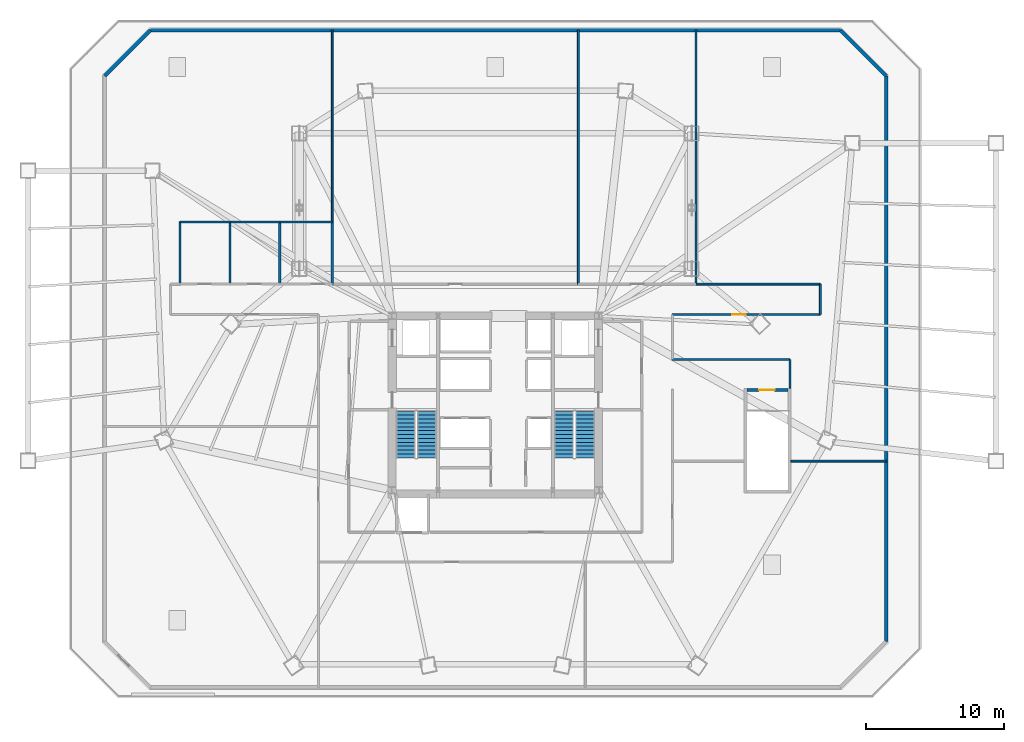
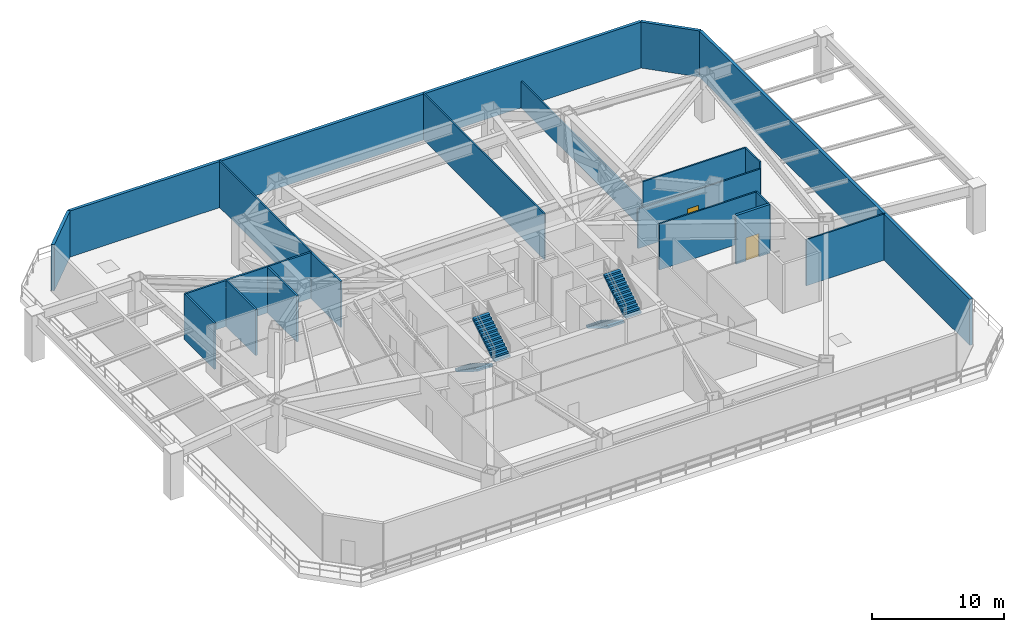
# One storey, part 8 of 13: 21 walls, 4 stair flights, 2 doors, 2 openings, 2 elements without a shape of their own.
"""IFC4 building model written with IfcOpenShell, lengths in metres."""

import ifcopenshell
import ifcopenshell.guid

model = None  # the IFC model being written
_history = None  # IfcOwnerHistory: only IFC2X3 demands one
_inside = {}  # id of a spatial element -> (the spatial element, [elements in it])
_under = {}  # id of a project, library or spatial element -> (it, [spatial elements below it])
_declared = {}  # id of a project -> (the project, [libraries it declares])
_typed = {}  # id of a type object -> (the type object, [elements of that type])
_made_of = {}  # id of a material, layer set ... -> (it, [elements and type objects made of it])


def new_model(schema):
    """Start an empty IFC model of exactly this schema.

    Asked for "IFC4X3", IfcOpenShell would pick the latest addendum, in which some entities
    have other attributes; the version numbers below select the first issue.
    IFC2X3 requires an IfcOwnerHistory on every rooted entity: one is made here for all.
    """
    global model, _history
    if schema == "IFC4X3":
        model = ifcopenshell.file(schema_version=(4, 3, 0, 0))
    else:
        model = ifcopenshell.file(schema=schema)
    _inside.clear()
    _under.clear()
    _declared.clear()
    _typed.clear()
    _made_of.clear()
    _history = None
    if model.schema == "IFC2X3":
        org = make("IfcOrganization", Name="unknown")
        user = make(
            "IfcPersonAndOrganization",
            ThePerson=make("IfcPerson", FamilyName="unknown"),
            TheOrganization=org,
        )
        app = make(
            "IfcApplication",
            ApplicationDeveloper=org,
            Version="unknown",
            ApplicationFullName="unknown",
            ApplicationIdentifier="unknown",
        )
        _history = make(
            "IfcOwnerHistory",
            OwningUser=user,
            OwningApplication=app,
            ChangeAction="ADDED",
            CreationDate=0,
        )
    return model


def make(cls, **values):
    """One entity of the class cls with the attributes given. An attribute that is None is left unset."""
    return model.create_entity(
        cls, **{name: value for name, value in values.items() if value is not None}
    )


def rooted(cls, **values):
    """An entity with a GlobalId (a new one), such as an element, a storey or a relation."""
    return make(cls, GlobalId=ifcopenshell.guid.new(), OwnerHistory=_history, **values)


def si_unit(unit_type, name, prefix=None):
    """IfcSIUnit, for example si_unit("LENGTHUNIT", "METRE", prefix="MILLI")."""
    return make("IfcSIUnit", UnitType=unit_type, Prefix=prefix, Name=name)


def assignment(units):
    """IfcUnitAssignment: the units of a project."""
    return None if units is None else make("IfcUnitAssignment", Units=units)


def point(xyz):
    """IfcCartesianPoint."""
    return None if xyz is None else make("IfcCartesianPoint", Coordinates=xyz)


def direction(xyz):
    """IfcDirection."""
    return None if xyz is None else make("IfcDirection", DirectionRatios=xyz)


def frame(location, z_axis=None, x_axis=None):
    """IfcAxis2Placement3D, a coordinate frame: its origin and axes. An axis left out is left unset."""
    return make(
        "IfcAxis2Placement3D",
        Location=point(location),
        Axis=direction(z_axis),
        RefDirection=direction(x_axis),
    )


def frame_2d(location, x_axis=None):
    """IfcAxis2Placement2D, a coordinate frame in the plane: its origin and x axis."""
    return make(
        "IfcAxis2Placement2D", Location=point(location), RefDirection=direction(x_axis)
    )


def origin():
    """The frame at (0, 0, 0) with its axes left unset."""
    return frame((0.0, 0.0, 0.0))


def place(relative_to, where):
    """IfcLocalPlacement: puts the frame where relative to a parent placement (None: the world)."""
    return make(
        "IfcLocalPlacement", PlacementRelTo=relative_to, RelativePlacement=where
    )


def context(
    kind, dimensions, precision=None, world=None, true_north=None, identifier=None
):
    """IfcGeometricRepresentationContext, for example the 3D "Model" context."""
    return make(
        "IfcGeometricRepresentationContext",
        ContextIdentifier=identifier,
        ContextType=kind,
        CoordinateSpaceDimension=dimensions,
        Precision=precision,
        WorldCoordinateSystem=world,
        TrueNorth=true_north,
    )


def subcontext(parent, identifier, kind, view, scale=None):
    """IfcGeometricRepresentationSubContext, for example "Body" below "Model"."""
    return make(
        "IfcGeometricRepresentationSubContext",
        ContextIdentifier=identifier,
        ContextType=kind,
        ParentContext=parent,
        TargetScale=scale,
        TargetView=view,
    )


def project(units=None, contexts=None):
    """IfcProject with its units and contexts."""
    return rooted(
        "IfcProject",
        Name="project",
        RepresentationContexts=contexts,
        UnitsInContext=assignment(units),
    )


def spatial(cls, under=None, at=None, **own):
    """A site, building, storey or space (cls), placed at a placement, below another one or the project."""
    s = rooted(cls, ObjectPlacement=at, **own)
    if under is not None:
        _under.setdefault(under.id(), (under, []))[1].append(s)
    return s


def polyline(points):
    """IfcPolyline through the points."""
    return make("IfcPolyline", Points=[point(p) for p in points])


def profile(cls, at=None, kind="AREA", **sizes):
    """A parametric profile (cls). Its sizes go by their IFC names, for example OverallWidth=200.0."""
    return make(cls, ProfileType=kind, Position=at, **sizes)


def rectangle(**sizes):
    """IfcRectangleProfileDef."""
    return profile("IfcRectangleProfileDef", **sizes)


def outline(outer, holes=None, kind="AREA"):
    """IfcArbitraryClosedProfileDef: a profile drawn as a closed curve; with holes, ...WithVoids."""
    if holes is None:
        return make("IfcArbitraryClosedProfileDef", ProfileType=kind, OuterCurve=outer)
    return make(
        "IfcArbitraryProfileDefWithVoids",
        ProfileType=kind,
        OuterCurve=outer,
        InnerCurves=holes,
    )


def extrude(swept, where, along, depth):
    """IfcExtrudedAreaSolid: the profile swept, set in the frame where, extruded along a direction by depth."""
    return make(
        "IfcExtrudedAreaSolid",
        SweptArea=swept,
        Position=where,
        ExtrudedDirection=direction(along),
        Depth=depth,
    )


def shape(context_of_items, identifier, shape_type, items):
    """IfcShapeRepresentation: the items that make up one representation, for example the "Body"."""
    return make(
        "IfcShapeRepresentation",
        ContextOfItems=context_of_items,
        RepresentationIdentifier=identifier,
        RepresentationType=shape_type,
        Items=items,
    )


def material(Name=None, Category=None):
    """IfcMaterial."""
    return make("IfcMaterial", Name=Name, Category=Category)


def layer(
    of_material, thickness, ventilated=None, Name=None, Category=None, Priority=None
):
    """IfcMaterialLayer: one layer of a wall or slab, of a material (None: an air gap)."""
    return make(
        "IfcMaterialLayer",
        Material=of_material,
        LayerThickness=thickness,
        IsVentilated=ventilated,
        Name=Name,
        Category=Category,
        Priority=Priority,
    )


def layer_set(layers, Name=None):
    """IfcMaterialLayerSet."""
    return make("IfcMaterialLayerSet", MaterialLayers=layers, LayerSetName=Name)


def made_of(thing, what):
    """Note that an element or type object is made of a material, layer set ...; save() writes the relation."""
    if what is not None:
        _made_of.setdefault(what.id(), (what, []))[1].append(thing)
    return thing


def type_object(cls, material=None, **own):
    """A type object (cls), such as IfcWallType, which elements share."""
    return made_of(rooted(cls, **own), material)


def element(
    cls,
    number,
    at=None,
    inside=None,
    cuts=None,
    type_object=None,
    material=None,
    context=None,
    identifier="Body",
    shape_type=None,
    held_by="IfcProductDefinitionShape",
    body=None,
    shapes=None,
    **own,
):
    """One element of the class cls, such as IfcWall. Its Tag is "e" and its number.

    at: its placement. inside: the storey or other place that contains it. cuts: it is an
    opening in that element (IfcRelVoidsElement). A single representation is given by context,
    identifier, shape_type and body (its items); several are given by shapes. held_by: the class
    of the entity that holds the representations. save() writes the other relations.
    """
    e = rooted(cls, Tag="e%d" % number, ObjectPlacement=at, **own)
    if body is not None:
        shapes = [shape(context, identifier, shape_type, body)]
    if shapes is not None:
        e.Representation = make(held_by, Representations=shapes)
    if inside is not None:
        _inside.setdefault(inside.id(), (inside, []))[1].append(e)
    if cuts is not None:
        rooted(
            "IfcRelVoidsElement", RelatingBuildingElement=cuts, RelatedOpeningElement=e
        )
    if type_object is not None:
        _typed.setdefault(type_object.id(), (type_object, []))[1].append(e)
    return made_of(e, material)


def fill(opening, filler):
    """IfcRelFillsElement: the door or window that sits in an opening."""
    return rooted(
        "IfcRelFillsElement",
        RelatingOpeningElement=opening,
        RelatedBuildingElement=filler,
    )


def aggregate(whole, parts):
    """IfcRelAggregates: a whole, such as a stair, and the parts it consists of."""
    return rooted("IfcRelAggregates", RelatingObject=whole, RelatedObjects=parts)


def save(model, path):
    """Write the relations noted so far, then the file.

    IfcRelAggregates (storeys below a building ...), IfcRelContainedInSpatialStructure (elements
    in a storey), IfcRelDefinesByType, IfcRelAssociatesMaterial and IfcRelDeclares: one each for
    every whole, place, type object, material and project.
    """
    for whole, parts in _under.values():
        aggregate(whole, parts)
    for where, things in _inside.values():
        rooted(
            "IfcRelContainedInSpatialStructure",
            RelatedElements=things,
            RelatingStructure=where,
        )
    for kind, things in _typed.values():
        rooted("IfcRelDefinesByType", RelatedObjects=things, RelatingType=kind)
    for what, things in _made_of.values():
        rooted("IfcRelAssociatesMaterial", RelatedObjects=things, RelatingMaterial=what)
    for by, libraries in _declared.values():
        rooted("IfcRelDeclares", RelatingContext=by, RelatedDefinitions=libraries)
    model.write(path)


model = new_model("IFC4")

# Units and contexts
model_context = context("Model", 3, precision=1e-05, world=origin(), true_north=direction((0.0, 1.0)))
body_context = subcontext(model_context, "Body", "Model", "MODEL_VIEW")
ifc_project = project(units=[si_unit("LENGTHUNIT", "METRE"), si_unit("AREAUNIT", "SQUARE_METRE"), si_unit("VOLUMEUNIT", "CUBIC_METRE"), si_unit("PLANEANGLEUNIT", "RADIAN"), si_unit("MASSUNIT", "GRAM", prefix="KILO")], contexts=[model_context])

# Site, building, storey
site_placement = place(None, origin())
site = spatial("IfcSite", under=ifc_project, at=site_placement, CompositionType="ELEMENT")
building_placement = place(site_placement, origin())
building = spatial("IfcBuilding", under=site, at=building_placement, Name="Caelisora Broadcast Tower", CompositionType="ELEMENT")
storey_placement = place(building_placement, frame((0.0, 0.0, 23.10009765625)))
storey = spatial("IfcBuildingStorey", under=building, at=storey_placement, Name="L05", CompositionType="ELEMENT", Elevation=23.10009765625)

# Wall, opening, door
ifc_material_1 = material(Name="Concrete 50 MPa (AS 3600 S50)", Category="concrete")
ifc_layer_1 = layer(ifc_material_1, 0.219970703125, Name="Concrete 50 MPa (AS 3600 S50)")
ifc_layer_set_1 = layer_set([ifc_layer_1], Name="Concrete 50 MPa (AS 3600 S50)")
wall_type_1 = type_object("IfcWallType", Name="CW7", PredefinedType="SHEAR", material=ifc_layer_set_1)
wall_1_placement = place(storey_placement, frame((56.199951171875, 24.64990234375, 0.0), z_axis=(0.0, 0.0, 1.0), x_axis=(1.0, 0.0, 0.0)))
wall_1 = element("IfcWall", 1, at=wall_1_placement, inside=storey, type_object=wall_type_1, Name="L05 core shear wall CW7", PredefinedType="SHEAR", context=body_context, shape_type="SweptSolid", body=[
    extrude(rectangle(XDim=2.9599609375, YDim=0.219970703125, at=frame_2d((1.47998046875, 0.0))), origin(), (0.0, 0.0, 1.0), 4.5),
])
opening_1_placement = place(wall_1_placement, frame((0.8701171875, 0.0, 0.0)))
opening_1 = element("IfcOpeningElement", 2, at=opening_1_placement, cuts=wall_1, Name="Opening FD04", PredefinedType="OPENING", context=body_context, shape_type="SweptSolid", body=[
    extrude(rectangle(XDim=1.1201171875, YDim=2.14990234375, at=frame_2d((0.56005859375, 1.074951171875))), frame((0.0, 0.1220703125, 0.0), z_axis=(0.0, -1.0, 0.0), x_axis=(1.0, 0.0, 0.0)), (0.0, 0.0, 1.0), 0.243896484375),
])
ifc_material_2 = material(Name="Pressurised Fire-Isolated Stair Door", Category="steel")
door_type_1 = type_object("IfcDoorType", Name="FD04", OperationType="NOTDEFINED", PredefinedType="DOOR", material=ifc_material_2)
door_1_placement = place(opening_1_placement, origin())
door_1 = element("IfcDoor", 3, at=door_1_placement, inside=storey, type_object=door_type_1, Name="L05 door FD04 (L05-DR-ST3)", OperationType="SINGLE_SWING_LEFT", OverallHeight=2.14990234375, OverallWidth=1.1201171875, PredefinedType="DOOR", context=body_context, shape_type="SweptSolid", body=[
    extrude(rectangle(XDim=1.1201171875, YDim=2.14990234375, at=frame_2d((0.56005859375, 1.074951171875))), frame((0.0, 0.02490234375, 0.0), z_axis=(0.0, -1.0, 0.0), x_axis=(1.0, 0.0, 0.0)), (0.0, 0.0, 1.0), 0.050048828125),
])
fill(opening_1, door_1)

# Walls
ifc_material_3 = material(Name="Fire-Rated Acoustic Plant Enclosure Wall", Category="masonry")
ifc_layer_2 = layer(ifc_material_3, 0.260009765625, Name="Fire-Rated Acoustic Plant Enclosure Wall")
ifc_layer_set_2 = layer_set([ifc_layer_2], Name="Fire-Rated Acoustic Plant Enclosure Wall")
wall_type_2 = type_object("IfcWallType", Name="EW2", PredefinedType="STANDARD", material=ifc_layer_set_2)
wall_2_placement = place(storey_placement, frame((9.739990234375, 47.35888671875, 0.0), z_axis=(0.0, 0.0, 1.0), x_axis=(0.707106781187, 0.707106781187, 0.0)))
element("IfcWall", 4, at=wall_2_placement, inside=storey, type_object=wall_type_2, Name="L05 exterior envelope wall EW2", PredefinedType="STANDARD", context=body_context, shape_type="SweptSolid", body=[
    extrude(rectangle(XDim=4.66845703125, YDim=0.260009765625, at=frame_2d((2.334228515625, 0.0))), origin(), (0.0, 0.0, 1.0), 4.25),
])
wall_3_placement = place(storey_placement, frame((13.06103515625, 50.659912109375, 0.0), z_axis=(0.0, 0.0, 1.0), x_axis=(1.0, 0.0, 0.0)))
element("IfcWall", 5, at=wall_3_placement, inside=storey, type_object=wall_type_2, Name="L05 exterior envelope wall EW2", PredefinedType="STANDARD", context=body_context, shape_type="SweptSolid", body=[
    extrude(rectangle(XDim=49.8779296875, YDim=0.260009765625, at=frame_2d((24.93896484375, 0.0))), origin(), (0.0, 0.0, 1.0), 4.25),
])
wall_4_placement = place(storey_placement, frame((62.958984375, 50.659912109375, 0.0), z_axis=(0.0, 0.0, 1.0), x_axis=(0.707106781187, -0.707106781187, 0.0)))
element("IfcWall", 6, at=wall_4_placement, inside=storey, type_object=wall_type_2, Name="L05 exterior envelope wall EW2", PredefinedType="STANDARD", context=body_context, shape_type="SweptSolid", body=[
    extrude(rectangle(XDim=4.66845703125, YDim=0.260009765625, at=frame_2d((2.334228515625, 0.0))), origin(), (0.0, 0.0, 1.0), 4.25),
])
wall_5_placement = place(storey_placement, frame((66.260009765625, 47.339111328125, 0.0), z_axis=(0.0, 0.0, 1.0), x_axis=(0.0, -1.0, 0.0)))
element("IfcWall", 7, at=wall_5_placement, inside=storey, type_object=wall_type_2, Name="L05 exterior envelope wall EW2", PredefinedType="STANDARD", context=body_context, shape_type="SweptSolid", body=[
    extrude(rectangle(XDim=40.878173828125, YDim=0.260009765625, at=frame_2d((20.43896484375, 0.0))), origin(), (0.0, 0.0, 1.0), 4.25),
])
ifc_material_4 = material(Name="Acoustic Steel-Stud Plasterboard Partition", Category="gypsum")
ifc_layer_3 = layer(ifc_material_4, 0.1298828125, Name="Acoustic Steel-Stud Plasterboard Partition")
ifc_layer_set_3 = layer_set([ifc_layer_3], Name="Acoustic Steel-Stud Plasterboard Partition")
wall_type_3 = type_object("IfcWallType", Name="PW3", PredefinedType="PARTITIONING", material=ifc_layer_set_3)
wall_6_placement = place(storey_placement, frame((52.5, 32.304931640625, 0.0), z_axis=(0.0, 0.0, 1.0), x_axis=(0.0, 1.0, 0.0)))
element("IfcWall", 8, at=wall_6_placement, inside=storey, type_object=wall_type_3, Name="L05 internal partition PW3", PredefinedType="PARTITIONING", context=body_context, shape_type="SweptSolid", body=[
    extrude(rectangle(XDim=18.364990234375, YDim=0.1298828125, at=frame_2d((9.1826171875, 0.0))), origin(), (0.0, 0.0, 1.0), 2.434814453125),
])
wall_7_placement = place(storey_placement, frame((44.0, 32.304931640625, 0.0), z_axis=(0.0, 0.0, 1.0), x_axis=(0.0, 1.0, 0.0)))
element("IfcWall", 9, at=wall_7_placement, inside=storey, type_object=wall_type_3, Name="L05 internal partition PW3", PredefinedType="PARTITIONING", context=body_context, shape_type="SweptSolid", body=[
    extrude(rectangle(XDim=18.364990234375, YDim=0.1298828125, at=frame_2d((9.1826171875, 0.0))), origin(), (0.0, 0.0, 1.0), 4.25),
])
wall_8_placement = place(storey_placement, frame((26.199951171875, 36.804931640625, 0.0), z_axis=(0.0, 0.0, 1.0), x_axis=(0.0, 1.0, 0.0)))
element("IfcWall", 10, at=wall_8_placement, inside=storey, type_object=wall_type_3, Name="L05 internal partition PW3", PredefinedType="PARTITIONING", context=body_context, shape_type="SweptSolid", body=[
    extrude(rectangle(XDim=13.864990234375, YDim=0.1298828125, at=frame_2d((6.9326171875, 0.0))), origin(), (0.0, 0.0, 1.0), 4.25),
])

# Wall, opening, door
wall_9_placement = place(storey_placement, frame((61.4951171875, 30.10009765625, 0.0), z_axis=(0.0, 0.0, 1.0), x_axis=(-1.0, 0.0, 0.0)))
wall_9 = element("IfcWall", 11, at=wall_9_placement, inside=storey, type_object=wall_type_3, Name="L05 internal partition PW3", PredefinedType="PARTITIONING", context=body_context, shape_type="SweptSolid", body=[
    extrude(rectangle(XDim=10.690185546875, YDim=0.1298828125, at=frame_2d((5.34521484375, 0.0))), origin(), (0.0, 0.0, 1.0), 3.623291015625),
])
opening_2_placement = place(wall_9_placement, frame((5.39990234375, 0.0, 0.0)))
opening_2 = element("IfcOpeningElement", 12, at=opening_2_placement, cuts=wall_9, Name="Opening D01", PredefinedType="OPENING", context=body_context, shape_type="SweptSolid", body=[
    extrude(rectangle(XDim=0.9599609375, YDim=2.14990234375, at=frame_2d((0.47998046875, 1.074951171875))), frame((0.0, 0.076904296875, 0.0), z_axis=(0.0, -1.0, 0.0), x_axis=(1.0, 0.0, 0.0)), (0.0, 0.0, 1.0), 0.15380859375),
])
ifc_material_5 = material(Name="Solid-Core Timber Acoustic Office Door", Category="wood")
door_type_2 = type_object("IfcDoorType", Name="D01", OperationType="NOTDEFINED", PredefinedType="DOOR", material=ifc_material_5)
door_2_placement = place(opening_2_placement, origin())
door_2 = element("IfcDoor", 13, at=door_2_placement, inside=storey, type_object=door_type_2, Name="L05 door D01 (L05-DR-P31D1)", OperationType="SINGLE_SWING_LEFT", OverallHeight=2.14990234375, OverallWidth=0.9599609375, PredefinedType="DOOR", context=body_context, shape_type="SweptSolid", body=[
    extrude(rectangle(XDim=0.9599609375, YDim=2.14990234375, at=frame_2d((0.47998046875, 1.074951171875))), frame((0.0, 0.02490234375, 0.0), z_axis=(0.0, -1.0, 0.0), x_axis=(1.0, 0.0, 0.0)), (0.0, 0.0, 1.0), 0.050048828125),
])
fill(opening_2, door_2)

# Walls
wall_10_placement = place(storey_placement, frame((52.5048828125, 32.300048828125, 0.0), z_axis=(0.0, 0.0, 1.0), x_axis=(1.0, 0.0, 0.0)))
element("IfcWall", 14, at=wall_10_placement, inside=storey, type_object=wall_type_3, Name="L05 internal partition PW3", PredefinedType="PARTITIONING", context=body_context, shape_type="SweptSolid", body=[
    extrude(rectangle(XDim=8.990234375, YDim=0.1298828125, at=frame_2d((4.4951171875, 0.0))), origin(), (0.0, 0.0, 1.0), 4.25),
])
wall_11_placement = place(storey_placement, frame((50.804931640625, 26.85009765625, 0.0), z_axis=(0.0, 0.0, 1.0), x_axis=(1.0, 0.0, 0.0)))
element("IfcWall", 15, at=wall_11_placement, inside=storey, type_object=wall_type_3, Name="L05 internal partition PW3", PredefinedType="PARTITIONING", context=body_context, shape_type="SweptSolid", body=[
    extrude(rectangle(XDim=8.489990234375, YDim=0.1298828125, at=frame_2d((4.2451171875, 0.0))), origin(), (0.0, 0.0, 1.0), 4.25),
])
wall_12_placement = place(storey_placement, frame((59.375, 19.5, 0.0), z_axis=(0.0, 0.0, 1.0), x_axis=(1.0, 0.0, 0.0)))
element("IfcWall", 16, at=wall_12_placement, inside=storey, type_object=wall_type_3, Name="L05 internal partition PW3", PredefinedType="PARTITIONING", context=body_context, shape_type="SweptSolid", body=[
    extrude(rectangle(XDim=6.89501953125, YDim=0.1298828125, at=frame_2d((3.447509765625, 0.0))), origin(), (0.0, 0.0, 1.0), 4.25),
])
wall_13_placement = place(storey_placement, frame((61.5, 32.294921875, 0.0), z_axis=(0.0, 0.0, 1.0), x_axis=(0.0, -1.0, 0.0)))
element("IfcWall", 17, at=wall_13_placement, inside=storey, type_object=wall_type_3, Name="L05 internal partition PW3", PredefinedType="PARTITIONING", context=body_context, shape_type="SweptSolid", body=[
    extrude(rectangle(XDim=2.18994140625, YDim=0.1298828125, at=frame_2d((1.094970703125, 0.0))), origin(), (0.0, 0.0, 1.0), 4.25),
])
wall_14_placement = place(storey_placement, frame((59.300048828125, 26.844970703125, 0.0), z_axis=(0.0, 0.0, 1.0), x_axis=(0.0, -1.0, 0.0)))
element("IfcWall", 18, at=wall_14_placement, inside=storey, type_object=wall_type_3, Name="L05 internal partition PW3", PredefinedType="PARTITIONING", context=body_context, shape_type="SweptSolid", body=[
    extrude(rectangle(XDim=2.070068359375, YDim=0.1298828125, at=frame_2d((1.03515625, 0.0))), origin(), (0.0, 0.0, 1.0), 4.25),
])
ifc_material_6 = material(Name="Moisture-Resistant Wet Plumbing Service Wall", Category="gypsum")
ifc_layer_4 = layer(ifc_material_6, 0.159912109375, Name="Moisture-Resistant Wet Plumbing Service Wall")
ifc_layer_set_4 = layer_set([ifc_layer_4], Name="Moisture-Resistant Wet Plumbing Service Wall")
wall_type_4 = type_object("IfcWallType", Name="PW4", PredefinedType="PLUMBINGWALL", material=ifc_layer_set_4)
for number, where, z_axis, x_axis, name in (
    (19, (15.199951171875, 32.27490234375, 0.0), (0.0, 0.0, 1.0), (0.0, 1.0, 0.0), "L05 wet plumbing wall PW4"),
    (20, (18.800048828125, 32.27490234375, 0.0), (0.0, 0.0, 1.0), (0.0, 1.0, 0.0), "L05 wet plumbing wall PW4"),
    (21, (22.39990234375, 32.27490234375, 0.0), (0.0, 0.0, 1.0), (0.0, 1.0, 0.0), "L05 wet plumbing wall PW4"),
    (22, (26.199951171875, 32.27490234375, 0.0), (0.0, 0.0, 1.0), (0.0, 1.0, 0.0), "L05 wet plumbing wall PW4"),
):
    element("IfcWall", number, at=place(storey_placement, frame(where, z_axis=z_axis, x_axis=x_axis)), inside=storey, type_object=wall_type_4, Name=name, PredefinedType="PLUMBINGWALL", context=body_context, shape_type="SweptSolid", body=[
        extrude(rectangle(XDim=4.550048828125, YDim=0.159912109375, at=frame_2d((2.27490234375, 0.0))), origin(), (0.0, 0.0, 1.0), 4.25),
    ])
wall_15_placement = place(storey_placement, frame((22.375, 36.800048828125, 0.0), z_axis=(0.0, 0.0, 1.0), x_axis=(1.0, 0.0, 0.0)))
element("IfcWall", 23, at=wall_15_placement, inside=storey, type_object=wall_type_4, Name="L05 wet plumbing wall PW4", PredefinedType="PLUMBINGWALL", context=body_context, shape_type="SweptSolid", body=[
    extrude(rectangle(XDim=3.85009765625, YDim=0.159912109375, at=frame_2d((1.925048828125, 0.0))), origin(), (0.0, 0.0, 1.0), 4.25),
])
wall_16_placement = place(storey_placement, frame((15.175048828125, 36.800048828125, 0.0), z_axis=(0.0, 0.0, 1.0), x_axis=(1.0, 0.0, 0.0)))
element("IfcWall", 24, at=wall_16_placement, inside=storey, type_object=wall_type_4, Name="L05 wet plumbing wall PW4", PredefinedType="PLUMBINGWALL", context=body_context, shape_type="SweptSolid", body=[
    extrude(rectangle(XDim=3.64990234375, YDim=0.159912109375, at=frame_2d((1.824951171875, 0.0))), origin(), (0.0, 0.0, 1.0), 4.25),
])
wall_17_placement = place(storey_placement, frame((18.77490234375, 36.800048828125, 0.0), z_axis=(0.0, 0.0, 1.0), x_axis=(1.0, 0.0, 0.0)))
element("IfcWall", 25, at=wall_17_placement, inside=storey, type_object=wall_type_4, Name="L05 wet plumbing wall PW4", PredefinedType="PLUMBINGWALL", context=body_context, shape_type="SweptSolid", body=[
    extrude(rectangle(XDim=3.650146484375, YDim=0.159912109375, at=frame_2d((1.8251953125, 0.0))), origin(), (0.0, 0.0, 1.0), 4.25),
])

# Stair, stair flights
ifc_material_7 = material(Name="Concrete 40 MPa (AS 3600 N40)", Category="concrete")
stair_type_1 = type_object("IfcStairType", Name="ST-1", PredefinedType="HALF_TURN_STAIR", material=ifc_material_7)
stair_1_placement = place(storey_placement, origin())
stair_1 = element("IfcStair", 26, at=stair_1_placement, inside=storey, type_object=stair_type_1, Name="L05 West Fire-Isolated Tower Stair", PredefinedType="HALF_TURN_STAIR")
stair_flight_type = type_object("IfcStairFlightType", Name="STF-1", PredefinedType="STRAIGHT", material=ifc_material_7)
stair_flight_1_placement = place(storey_placement, frame((31.52001953125, 23.10009765625, 0.0), z_axis=(0.0, 0.0, 1.0), x_axis=(0.0, -1.0, 0.0)))
stair_flight_1 = element("IfcStairFlight", 27, at=stair_flight_1_placement, type_object=stair_flight_type, Name="ST-1 flight 1", NumberOfRisers=13, NumberOfTreads=12, PredefinedType="STRAIGHT", RiserHeight=0.173076923, TreadLength=0.28, context=body_context, shape_type="SweptSolid", body=[
    extrude(outline(polyline([(0.0, 0.0), (0.0, 0.173095703125), (0.280029296875, 0.173095703125), (0.280029296875, 0.34619140625), (0.56005859375, 0.34619140625), (0.56005859375, 0.519287109375), (0.840087890625, 0.519287109375), (0.840087890625, 0.6923828125), (1.1201171875, 0.6923828125), (1.1201171875, 0.865478515625), (1.39990234375, 0.865478515625), (1.39990234375, 1.03857421875), (1.679931640625, 1.03857421875), (1.679931640625, 1.21142578125), (1.9599609375, 1.21142578125), (1.9599609375, 1.384521484375), (2.239990234375, 1.384521484375), (2.239990234375, 1.5576171875), (2.52001953125, 1.5576171875), (2.52001953125, 1.730712890625), (2.800048828125, 1.730712890625), (2.800048828125, 1.90380859375), (3.080078125, 1.90380859375), (3.080078125, 2.076904296875), (3.360107421875, 2.076904296875), (3.360107421875, 2.25), (3.360107421875, 1.900634765625), (0.28515625, 0.0), (0.0, 0.0)])), frame((0.0, 0.699951171875, 0.0), z_axis=(0.0, -1.0, 0.0), x_axis=(1.0, 0.0, 0.0)), (0.0, 0.0, 1.0), 1.39990234375),
])
stair_flight_2_placement = place(storey_placement, frame((33.0400390625, 19.739990234375, 2.25), z_axis=(0.0, 0.0, 1.0), x_axis=(0.0, 1.0, 0.0)))
stair_flight_2 = element("IfcStairFlight", 28, at=stair_flight_2_placement, type_object=stair_flight_type, Name="ST-1 flight 2", NumberOfRisers=13, NumberOfTreads=12, PredefinedType="STRAIGHT", RiserHeight=0.173076923, TreadLength=0.28, context=body_context, shape_type="SweptSolid", body=[
    extrude(outline(polyline([(0.0, 0.0), (0.0, 0.173095703125), (0.280029296875, 0.173095703125), (0.280029296875, 0.34619140625), (0.56005859375, 0.34619140625), (0.56005859375, 0.519287109375), (0.840087890625, 0.519287109375), (0.840087890625, 0.6923828125), (1.1201171875, 0.6923828125), (1.1201171875, 0.865478515625), (1.39990234375, 0.865478515625), (1.39990234375, 1.03857421875), (1.679931640625, 1.03857421875), (1.679931640625, 1.21142578125), (1.9599609375, 1.21142578125), (1.9599609375, 1.384521484375), (2.239990234375, 1.384521484375), (2.239990234375, 1.5576171875), (2.52001953125, 1.5576171875), (2.52001953125, 1.730712890625), (2.800048828125, 1.730712890625), (2.800048828125, 1.90380859375), (3.080078125, 1.90380859375), (3.080078125, 2.076904296875), (3.360107421875, 2.076904296875), (3.360107421875, 2.25), (3.360107421875, 1.900634765625), (0.28515625, 0.0), (0.0, 0.0)])), frame((0.0, 0.699951171875, 0.0), z_axis=(0.0, -1.0, 0.0), x_axis=(1.0, 0.0, 0.0)), (0.0, 0.0, 1.0), 1.39990234375),
])
aggregate(stair_1, [stair_flight_1, stair_flight_2])

stair_type_2 = type_object("IfcStairType", Name="ST-2", PredefinedType="HALF_TURN_STAIR", material=ifc_material_7)
stair_2_placement = place(storey_placement, origin())
stair_2 = element("IfcStair", 29, at=stair_2_placement, inside=storey, type_object=stair_type_2, Name="L05 East Fire-Isolated Tower Stair", PredefinedType="HALF_TURN_STAIR")
stair_flight_3_placement = place(storey_placement, frame((42.9599609375, 23.10009765625, 0.0), z_axis=(0.0, 0.0, 1.0), x_axis=(0.0, -1.0, 0.0)))
stair_flight_3 = element("IfcStairFlight", 30, at=stair_flight_3_placement, type_object=stair_flight_type, Name="ST-2 flight 1", NumberOfRisers=13, NumberOfTreads=12, PredefinedType="STRAIGHT", RiserHeight=0.173076923, TreadLength=0.28, context=body_context, shape_type="SweptSolid", body=[
    extrude(outline(polyline([(0.0, 0.0), (0.0, 0.173095703125), (0.280029296875, 0.173095703125), (0.280029296875, 0.34619140625), (0.56005859375, 0.34619140625), (0.56005859375, 0.519287109375), (0.840087890625, 0.519287109375), (0.840087890625, 0.6923828125), (1.1201171875, 0.6923828125), (1.1201171875, 0.865478515625), (1.39990234375, 0.865478515625), (1.39990234375, 1.03857421875), (1.679931640625, 1.03857421875), (1.679931640625, 1.21142578125), (1.9599609375, 1.21142578125), (1.9599609375, 1.384521484375), (2.239990234375, 1.384521484375), (2.239990234375, 1.5576171875), (2.52001953125, 1.5576171875), (2.52001953125, 1.730712890625), (2.800048828125, 1.730712890625), (2.800048828125, 1.90380859375), (3.080078125, 1.90380859375), (3.080078125, 2.076904296875), (3.360107421875, 2.076904296875), (3.360107421875, 2.25), (3.360107421875, 1.900634765625), (0.28515625, 0.0), (0.0, 0.0)])), frame((0.0, 0.699951171875, 0.0), z_axis=(0.0, -1.0, 0.0), x_axis=(1.0, 0.0, 0.0)), (0.0, 0.0, 1.0), 1.39990234375),
])
stair_flight_4_placement = place(storey_placement, frame((44.47998046875, 19.739990234375, 2.25), z_axis=(0.0, 0.0, 1.0), x_axis=(0.0, 1.0, 0.0)))
stair_flight_4 = element("IfcStairFlight", 31, at=stair_flight_4_placement, type_object=stair_flight_type, Name="ST-2 flight 2", NumberOfRisers=13, NumberOfTreads=12, PredefinedType="STRAIGHT", RiserHeight=0.173076923, TreadLength=0.28, context=body_context, shape_type="SweptSolid", body=[
    extrude(outline(polyline([(0.0, 0.0), (0.0, 0.173095703125), (0.280029296875, 0.173095703125), (0.280029296875, 0.34619140625), (0.56005859375, 0.34619140625), (0.56005859375, 0.519287109375), (0.840087890625, 0.519287109375), (0.840087890625, 0.6923828125), (1.1201171875, 0.6923828125), (1.1201171875, 0.865478515625), (1.39990234375, 0.865478515625), (1.39990234375, 1.03857421875), (1.679931640625, 1.03857421875), (1.679931640625, 1.21142578125), (1.9599609375, 1.21142578125), (1.9599609375, 1.384521484375), (2.239990234375, 1.384521484375), (2.239990234375, 1.5576171875), (2.52001953125, 1.5576171875), (2.52001953125, 1.730712890625), (2.800048828125, 1.730712890625), (2.800048828125, 1.90380859375), (3.080078125, 1.90380859375), (3.080078125, 2.076904296875), (3.360107421875, 2.076904296875), (3.360107421875, 2.25), (3.360107421875, 1.900634765625), (0.28515625, 0.0), (0.0, 0.0)])), frame((0.0, 0.699951171875, 0.0), z_axis=(0.0, -1.0, 0.0), x_axis=(1.0, 0.0, 0.0)), (0.0, 0.0, 1.0), 1.39990234375),
])
aggregate(stair_2, [stair_flight_3, stair_flight_4])

save(model, "model.ifc")
